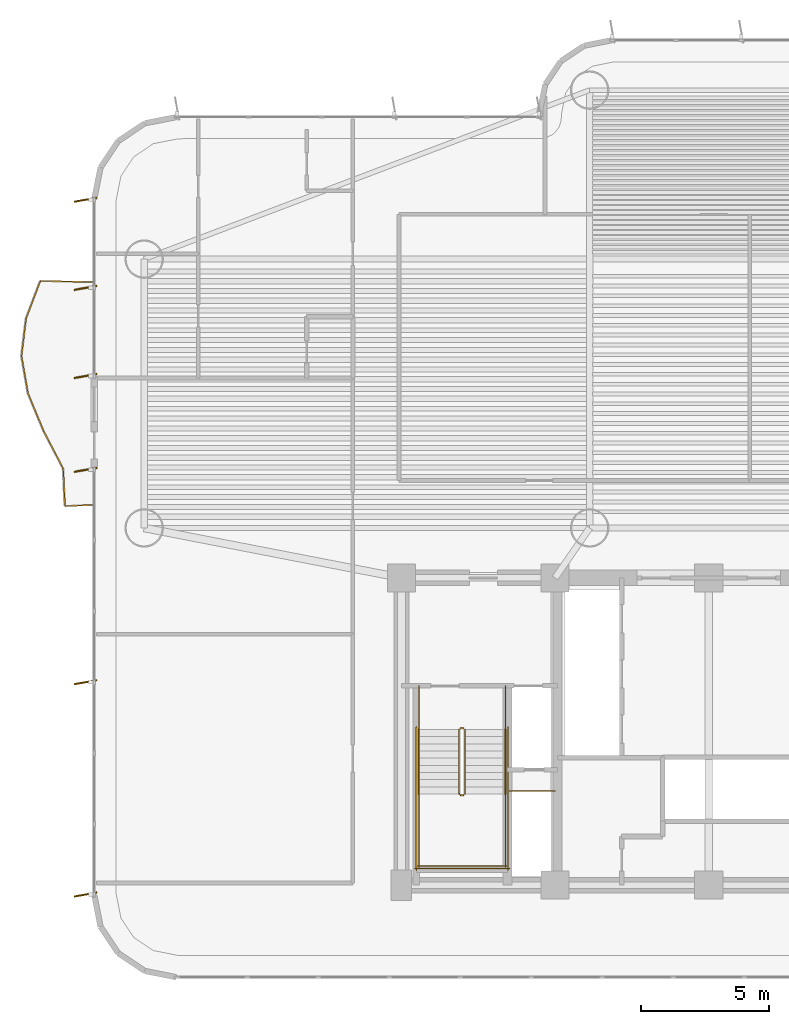
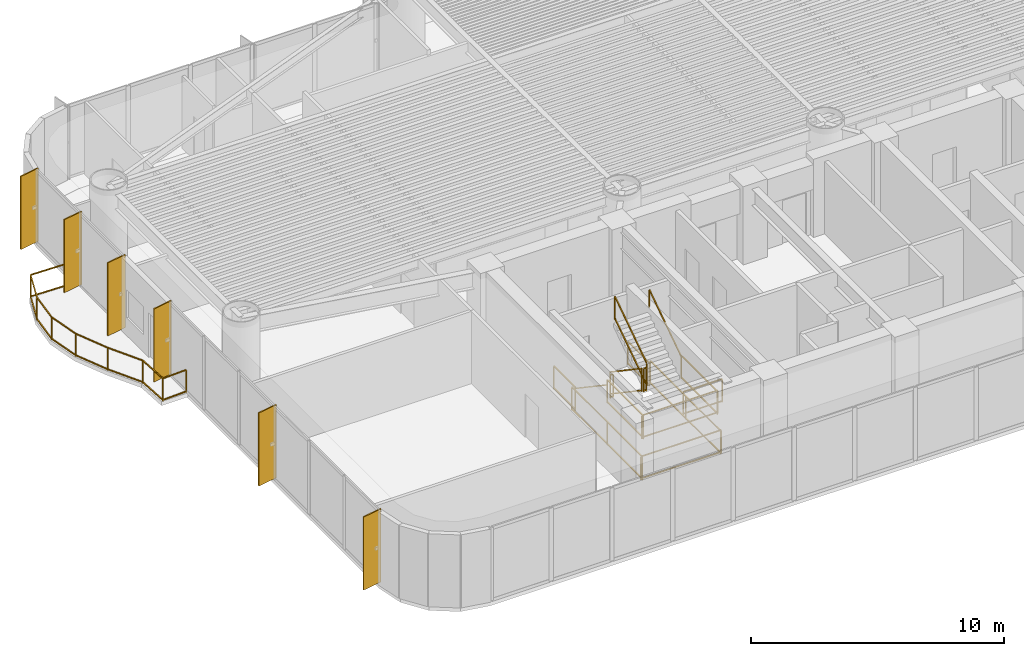
# One storey, part 15 of 18: 16 railings, 6 shading devices.
"""IFC4 building model written with IfcOpenShell, lengths in metres."""

from ifc_helpers import new_model, si_unit, direction, frame, origin, origin_2d, place, context, subcontext, project, spatial, rectangle, extrude, source, transform, mapped, material, layer, layer_set, material_profile, profile_set, type_object, element, save


model = new_model("IFC4")

# Units and contexts
model_context = context("Model", 3, precision=1e-05, world=origin(), true_north=direction((0.0, 1.0)))
body_context = subcontext(model_context, "Body", "Model", "MODEL_VIEW")
ifc_project = project(units=[si_unit("LENGTHUNIT", "METRE"), si_unit("AREAUNIT", "SQUARE_METRE"), si_unit("VOLUMEUNIT", "CUBIC_METRE"), si_unit("PLANEANGLEUNIT", "RADIAN"), si_unit("MASSUNIT", "GRAM", prefix="KILO")], contexts=[model_context])

# Site, building, storey
site_placement = place(None, origin())
site = spatial("IfcSite", under=ifc_project, at=site_placement, CompositionType="ELEMENT")
building_placement = place(site_placement, origin())
building = spatial("IfcBuilding", under=site, at=building_placement, Name="Brelvock Crest Care Tower", CompositionType="ELEMENT")
storey_placement = place(building_placement, frame((0.0, 0.0, 72.360107421875)))
storey = spatial("IfcBuildingStorey", under=building, at=storey_placement, Name="L18", CompositionType="ELEMENT", Elevation=72.360107421875)

# Railings
ifc_material_1 = material(Name="Dark Glass Double Glazed Low-E", Category="glass")
ifc_layer_1 = layer(ifc_material_1, 0.06005859375, Name="RL-BAL1")
ifc_layer_set_1 = layer_set([ifc_layer_1], Name="Dark Glass Double Glazed Low-E")
railing_type_1 = type_object("IfcRailingType", Name="RL-BAL1", PredefinedType="BALUSTRADE", material=ifc_layer_set_1)
railing_1_placement = place(storey_placement, frame((11.9599609375, 20.85009765625, 0.00390625)))
element("IfcRailing", 1, at=railing_1_placement, inside=storey, type_object=railing_type_1, Name="L18 Safety Balustrade WB-W", PredefinedType="BALUSTRADE", context=body_context, shape_type="SweptSolid", body=[
    extrude(rectangle(XDim=0.048095703125, YDim=0.048095703125, at=origin_2d()), frame((-0.001953125, 0.0, 1.09619140625), z_axis=(-0.998966252902, -0.045457953795, 0.0), x_axis=(0.045457953795, -0.998966252902, 0.0)), (0.0, 0.0, 1.0), 1.096923828125),
    extrude(rectangle(XDim=0.048095703125, YDim=0.048095703125, at=origin_2d()), frame((-0.001953125, 0.0, 0.054931640625), z_axis=(-0.998966252902, -0.045457953795, 0.0), x_axis=(0.045457953795, -0.998966252902, 0.0)), (0.0, 0.0, 1.0), 1.096923828125),
    extrude(rectangle(XDim=0.048095703125, YDim=0.048095703125, at=origin_2d()), frame((-1.099853515625, -0.048095703125, 1.09619140625), z_axis=(-0.047225425177, 0.998884257167, 0.0), x_axis=(-0.998884257167, -0.047225425177, 0.0)), (0.0, 0.0, 1.0), 1.464111328125),
    extrude(rectangle(XDim=0.048095703125, YDim=0.048095703125, at=origin_2d()), frame((-1.099853515625, -0.048095703125, 0.054931640625), z_axis=(-0.047225425177, 0.998884257167, 0.0), x_axis=(-0.998884257167, -0.047225425177, 0.0)), (0.0, 0.0, 1.0), 1.464111328125),
    extrude(rectangle(XDim=0.048095703125, YDim=0.048095703125, at=origin_2d()), frame((-1.170166015625, 1.418212890625, 1.09619140625), z_axis=(-0.462263335989, 0.8867426956, 0.0), x_axis=(-0.8867426956, -0.462263335989, 0.0)), (0.0, 0.0, 1.0), 1.650146484375),
    extrude(rectangle(XDim=0.048095703125, YDim=0.048095703125, at=origin_2d()), frame((-1.170166015625, 1.418212890625, 0.054931640625), z_axis=(-0.462263335989, 0.8867426956, 0.0), x_axis=(-0.8867426956, -0.462263335989, 0.0)), (0.0, 0.0, 1.0), 1.650146484375),
    extrude(rectangle(XDim=0.048095703125, YDim=0.048095703125, at=origin_2d()), frame((-1.9345703125, 2.88525390625, 1.09619140625), z_axis=(-0.383184627058, 0.923671771565, 0.0), x_axis=(-0.923671771565, -0.383184627058, 0.0)), (0.0, 0.0, 1.0), 1.583740234375),
    extrude(rectangle(XDim=0.048095703125, YDim=0.048095703125, at=origin_2d()), frame((-1.9345703125, 2.88525390625, 0.054931640625), z_axis=(-0.383184627058, 0.923671771565, 0.0), x_axis=(-0.923671771565, -0.383184627058, 0.0)), (0.0, 0.0, 1.0), 1.583740234375),
    extrude(rectangle(XDim=0.048095703125, YDim=0.048095703125, at=origin_2d()), frame((-2.54248046875, 4.351806640625, 1.09619140625), z_axis=(-0.171839377524, 0.985124981072, 0.0), x_axis=(-0.985124981072, -0.171839377524, 0.0)), (0.0, 0.0, 1.0), 1.48486328125),
    extrude(rectangle(XDim=0.048095703125, YDim=0.048095703125, at=origin_2d()), frame((-2.54248046875, 4.351806640625, 0.054931640625), z_axis=(-0.171839377524, 0.985124981072, 0.0), x_axis=(-0.985124981072, -0.171839377524, 0.0)), (0.0, 0.0, 1.0), 1.48486328125),
    extrude(rectangle(XDim=0.048095703125, YDim=0.048095703125, at=origin_2d()), frame((-2.7978515625, 5.818603515625, 1.09619140625), z_axis=(0.121125859225, 0.992637157388, 0.0), x_axis=(-0.992637157388, 0.121125859225, 0.0)), (0.0, 0.0, 1.0), 1.473388671875),
    extrude(rectangle(XDim=0.048095703125, YDim=0.048095703125, at=origin_2d()), frame((-2.7978515625, 5.818603515625, 0.054931640625), z_axis=(0.121125859225, 0.992637157388, 0.0), x_axis=(-0.992637157388, 0.121125859225, 0.0)), (0.0, 0.0, 1.0), 1.473388671875),
    extrude(rectangle(XDim=0.048095703125, YDim=0.048095703125, at=origin_2d()), frame((-2.618408203125, 7.28515625, 1.09619140625), z_axis=(0.354668308232, 0.93499218774, 0.0), x_axis=(-0.93499218774, 0.354668308232, 0.0)), (0.0, 0.0, 1.0), 1.564697265625),
    extrude(rectangle(XDim=0.048095703125, YDim=0.048095703125, at=origin_2d()), frame((-2.618408203125, 7.28515625, 0.054931640625), z_axis=(0.354668308232, 0.93499218774, 0.0), x_axis=(-0.93499218774, 0.354668308232, 0.0)), (0.0, 0.0, 1.0), 1.564697265625),
    extrude(rectangle(XDim=0.048095703125, YDim=0.048095703125, at=origin_2d()), frame((-2.060791015625, 8.75, 1.09619140625), z_axis=(0.999705777823, -0.024256087638, 0.0), x_axis=(0.024256087638, 0.999705777823, 0.0)), (0.0, 0.0, 1.0), 2.059326171875),
    extrude(rectangle(XDim=0.048095703125, YDim=0.048095703125, at=origin_2d()), frame((-2.060791015625, 8.75, 0.054931640625), z_axis=(0.999705777823, -0.024256087638, 0.0), x_axis=(0.024256087638, 0.999705777823, 0.0)), (0.0, 0.0, 1.0), 2.059326171875),
    extrude(rectangle(XDim=0.0419921875, YDim=0.0419921875, at=origin_2d()), origin(), (0.0, 0.0, 1.0), 1.070068359375),
    extrude(rectangle(XDim=0.0419921875, YDim=0.0419921875, at=origin_2d()), frame((-1.099853515625, -0.050048828125, 0.0)), (0.0, 0.0, 1.0), 1.070068359375),
    extrude(rectangle(XDim=0.0419921875, YDim=0.0419921875, at=origin_2d()), frame((-1.169189453125, 1.41650390625, 0.0)), (0.0, 0.0, 1.0), 1.070068359375),
    extrude(rectangle(XDim=0.0419921875, YDim=0.0419921875, at=origin_2d()), frame((-1.933837890625, 2.88330078125, 0.0)), (0.0, 0.0, 1.0), 1.070068359375),
    extrude(rectangle(XDim=0.0419921875, YDim=0.0419921875, at=origin_2d()), frame((-2.542236328125, 4.349853515625, 0.0)), (0.0, 0.0, 1.0), 1.070068359375),
    extrude(rectangle(XDim=0.0419921875, YDim=0.0419921875, at=origin_2d()), frame((-2.798095703125, 5.816650390625, 0.0)), (0.0, 0.0, 1.0), 1.070068359375),
    extrude(rectangle(XDim=0.0419921875, YDim=0.0419921875, at=origin_2d()), frame((-2.619140625, 7.283203125, 0.0)), (0.0, 0.0, 1.0), 1.070068359375),
    extrude(rectangle(XDim=0.0419921875, YDim=0.0419921875, at=origin_2d()), frame((-2.062744140625, 8.75, 0.0)), (0.0, 0.0, 1.0), 1.070068359375),
    extrude(rectangle(XDim=0.0419921875, YDim=0.0419921875, at=origin_2d()), frame((0.0, 8.699951171875, 0.0)), (0.0, 0.0, 1.0), 1.070068359375),
])
ifc_material_2 = material(Name="Steel Grade 350", Category="steel")
ifc_layer_2 = layer(ifc_material_2, 0.050048828125, Name="RL-STG1")
ifc_layer_set_2 = layer_set([ifc_layer_2], Name="Steel Grade 350")
railing_type_2 = type_object("IfcRailingType", Name="RL-STG1", PredefinedType="GUARDRAIL", material=ifc_layer_set_2)
railing_2_placement = place(storey_placement, frame((26.260009765625, 12.080078125, 0.18896484375)))
element("IfcRailing", 2, at=railing_2_placement, inside=storey, type_object=railing_type_2, Name="L18 ST-1 stair guard 1", PredefinedType="GUARDRAIL", context=body_context, shape_type="SweptSolid", body=[
    extrude(rectangle(XDim=0.048095703125, YDim=0.048095703125, at=origin_2d()), frame((0.0, -0.001708984375, 1.116943359375), z_axis=(0.0, -0.828861706735, 0.559453546873), x_axis=(1.0, 0.0, 0.0)), (0.0, 0.0, 1.0), 3.036376953125),
    extrude(rectangle(XDim=0.048095703125, YDim=0.048095703125, at=origin_2d()), frame((0.0, -0.001708984375, 0.05615234375), z_axis=(0.0, -0.828861706735, 0.559453546873), x_axis=(1.0, 0.0, 0.0)), (0.0, 0.0, 1.0), 3.036376953125),
    extrude(rectangle(XDim=0.0419921875, YDim=0.0419921875, at=origin_2d()), origin(), (0.0, 0.0, 1.0), 1.08984375),
    extrude(rectangle(XDim=0.0419921875, YDim=0.0419921875, at=origin_2d()), frame((0.0, -2.52001953125, 1.700927734375)), (0.0, 0.0, 1.0), 1.08984375),
])
railing_3_placement = place(storey_placement, frame((26.31005859375, 9.510009765625, 1.889892578125)))
element("IfcRailing", 3, at=railing_3_placement, inside=storey, type_object=railing_type_2, Name="L18 ST-1 stair guard 2", PredefinedType="GUARDRAIL", context=body_context, shape_type="SweptSolid", body=[
    extrude(rectangle(XDim=0.048095703125, YDim=0.048095703125, at=origin_2d()), frame((0.001953125, 0.0, 1.11572265625), z_axis=(1.0, 0.0, 0.0), x_axis=(0.0, 1.0, 0.0)), (0.0, 0.0, 1.0), 0.115966796875),
    extrude(rectangle(XDim=0.048095703125, YDim=0.048095703125, at=origin_2d()), frame((0.001953125, 0.0, 0.054931640625), z_axis=(1.0, 0.0, 0.0), x_axis=(0.0, 1.0, 0.0)), (0.0, 0.0, 1.0), 0.115966796875),
    extrude(rectangle(XDim=0.0419921875, YDim=0.0419921875, at=origin_2d()), origin(), (0.0, 0.0, 1.0), 1.08984375),
    extrude(rectangle(XDim=0.0419921875, YDim=0.0419921875, at=origin_2d()), frame((0.119873046875, 0.0, 0.0)), (0.0, 0.0, 1.0), 1.08984375),
])
for number, where, name in (
    (4, (24.679931640625, 9.56005859375, 1.889892578125), "L18 ST-1 stair guard 3"),
    (5, (28.06005859375, 9.56005859375, 1.889892578125), "L18 ST-1 stair guard 4"),
):
    element("IfcRailing", number, at=place(storey_placement, frame(where)), inside=storey, type_object=railing_type_2, Name=name, PredefinedType="GUARDRAIL", context=body_context, shape_type="SweptSolid", body=[
        extrude(rectangle(XDim=0.048095703125, YDim=0.048095703125, at=origin_2d()), frame((0.0, -0.001953125, 1.11572265625), z_axis=(0.0, -1.0, 0.0), x_axis=(1.0, 0.0, 0.0)), (0.0, 0.0, 1.0), 2.856201171875),
        extrude(rectangle(XDim=0.048095703125, YDim=0.048095703125, at=origin_2d()), frame((0.0, -0.001953125, 0.054931640625), z_axis=(0.0, -1.0, 0.0), x_axis=(1.0, 0.0, 0.0)), (0.0, 0.0, 1.0), 2.856201171875),
        extrude(rectangle(XDim=0.0419921875, YDim=0.0419921875, at=origin_2d()), origin(), (0.0, 0.0, 1.0), 1.08984375),
        extrude(rectangle(XDim=0.0419921875, YDim=0.0419921875, at=origin_2d()), frame((0.0, -2.860107421875, 0.0)), (0.0, 0.0, 1.0), 1.08984375),
    ])
railing_4_placement = place(storey_placement, frame((24.6298828125, 6.75, 1.889892578125)))
element("IfcRailing", 6, at=railing_4_placement, inside=storey, type_object=railing_type_2, Name="L18 ST-1 stair guard 5", PredefinedType="GUARDRAIL", context=body_context, shape_type="SweptSolid", body=[
    extrude(rectangle(XDim=0.048095703125, YDim=0.048095703125, at=origin_2d()), frame((0.001953125, 0.0, 1.11572265625), z_axis=(1.0, 0.0, 0.0), x_axis=(0.0, 1.0, 0.0)), (0.0, 0.0, 1.0), 3.476318359375),
    extrude(rectangle(XDim=0.048095703125, YDim=0.048095703125, at=origin_2d()), frame((0.001953125, 0.0, 0.054931640625), z_axis=(1.0, 0.0, 0.0), x_axis=(0.0, 1.0, 0.0)), (0.0, 0.0, 1.0), 3.476318359375),
    extrude(rectangle(XDim=0.0419921875, YDim=0.0419921875, at=origin_2d()), origin(), (0.0, 0.0, 1.0), 1.08984375),
    extrude(rectangle(XDim=0.0419921875, YDim=0.0419921875, at=origin_2d()), frame((3.480224609375, 0.0, 0.0)), (0.0, 0.0, 1.0), 1.08984375),
])
railing_5_placement = place(storey_placement, frame((26.47998046875, 9.56005859375, 2.078857421875)))
element("IfcRailing", 7, at=railing_5_placement, inside=storey, type_object=railing_type_2, Name="L18 ST-1 stair guard 6", PredefinedType="GUARDRAIL", context=body_context, shape_type="SweptSolid", body=[
    extrude(rectangle(XDim=0.048095703125, YDim=0.048095703125, at=origin_2d()), frame((0.0, 0.001708984375, 1.116943359375), z_axis=(0.0, 0.828861706735, 0.559453546873), x_axis=(-1.0, 0.0, 0.0)), (0.0, 0.0, 1.0), 3.036376953125),
    extrude(rectangle(XDim=0.048095703125, YDim=0.048095703125, at=origin_2d()), frame((0.0, 0.001708984375, 0.05615234375), z_axis=(0.0, 0.828861706735, 0.559453546873), x_axis=(-1.0, 0.0, 0.0)), (0.0, 0.0, 1.0), 3.036376953125),
    extrude(rectangle(XDim=0.0419921875, YDim=0.0419921875, at=origin_2d()), origin(), (0.0, 0.0, 1.0), 1.08984375),
    extrude(rectangle(XDim=0.0419921875, YDim=0.0419921875, at=origin_2d()), frame((0.0, 2.52001953125, 1.700927734375)), (0.0, 0.0, 1.0), 1.08984375),
])
railing_6_placement = place(storey_placement, frame((26.31005859375, 12.1298828125, 0.0)))
element("IfcRailing", 8, at=railing_6_placement, inside=storey, type_object=railing_type_2, Name="L18 ST-1 stair guard 7", PredefinedType="GUARDRAIL", context=body_context, shape_type="SweptSolid", body=[
    extrude(rectangle(XDim=0.048095703125, YDim=0.048095703125, at=origin_2d()), frame((0.001953125, 0.0, 1.11572265625), z_axis=(1.0, 0.0, 0.0), x_axis=(0.0, 1.0, 0.0)), (0.0, 0.0, 1.0), 0.115966796875),
    extrude(rectangle(XDim=0.048095703125, YDim=0.048095703125, at=origin_2d()), frame((0.001953125, 0.0, 0.054931640625), z_axis=(1.0, 0.0, 0.0), x_axis=(0.0, 1.0, 0.0)), (0.0, 0.0, 1.0), 0.115966796875),
    extrude(rectangle(XDim=0.0419921875, YDim=0.0419921875, at=origin_2d()), origin(), (0.0, 0.0, 1.0), 1.08984375),
    extrude(rectangle(XDim=0.0419921875, YDim=0.0419921875, at=origin_2d()), frame((0.119873046875, 0.0, 0.0)), (0.0, 0.0, 1.0), 1.08984375),
])
for number, where, name in (
    (9, (24.679931640625, 13.780029296875, 0.0), "L18 ST-1 stair guard 8"),
    (10, (28.06005859375, 13.780029296875, 0.0), "L18 ST-1 stair guard 9"),
):
    element("IfcRailing", number, at=place(storey_placement, frame(where)), inside=storey, type_object=railing_type_2, Name=name, PredefinedType="GUARDRAIL", context=body_context, shape_type="SweptSolid", body=[
        extrude(rectangle(XDim=0.048095703125, YDim=0.048095703125, at=origin_2d()), frame((0.0, -0.001953125, 1.11572265625), z_axis=(0.0, -1.0, 0.0), x_axis=(1.0, 0.0, 0.0)), (0.0, 0.0, 1.0), 1.696044921875),
        extrude(rectangle(XDim=0.048095703125, YDim=0.048095703125, at=origin_2d()), frame((0.0, -0.001953125, 0.054931640625), z_axis=(0.0, -1.0, 0.0), x_axis=(1.0, 0.0, 0.0)), (0.0, 0.0, 1.0), 1.696044921875),
        extrude(rectangle(XDim=0.0419921875, YDim=0.0419921875, at=origin_2d()), origin(), (0.0, 0.0, 1.0), 1.08984375),
        extrude(rectangle(XDim=0.0419921875, YDim=0.0419921875, at=origin_2d()), frame((0.0, -1.699951171875, 0.0)), (0.0, 0.0, 1.0), 1.08984375),
    ])
for number, where, name in (
    (11, (24.580078125, 12.179931640625, 0.0), "L18 ST-1 stair guard 10"),
    (12, (28.159912109375, 12.179931640625, 0.0), "L18 ST-1 stair guard 11"),
):
    element("IfcRailing", number, at=place(storey_placement, frame(where)), inside=storey, type_object=railing_type_2, Name=name, PredefinedType="GUARDRAIL", context=body_context, shape_type="SweptSolid", body=[
        extrude(rectangle(XDim=0.048095703125, YDim=0.048095703125, at=origin_2d()), frame((0.0, -0.001953125, 1.11572265625), z_axis=(0.0, -1.0, 0.0), x_axis=(1.0, 0.0, 0.0)), (0.0, 0.0, 1.0), 5.575927734375),
        extrude(rectangle(XDim=0.048095703125, YDim=0.048095703125, at=origin_2d()), frame((0.0, -0.001953125, 0.054931640625), z_axis=(0.0, -1.0, 0.0), x_axis=(1.0, 0.0, 0.0)), (0.0, 0.0, 1.0), 5.575927734375),
        extrude(rectangle(XDim=0.0419921875, YDim=0.0419921875, at=origin_2d()), origin(), (0.0, 0.0, 1.0), 1.08984375),
        extrude(rectangle(XDim=0.0419921875, YDim=0.0419921875, at=origin_2d()), frame((0.0, -2.7900390625, 0.0)), (0.0, 0.0, 1.0), 1.08984375),
        extrude(rectangle(XDim=0.0419921875, YDim=0.0419921875, at=origin_2d()), frame((0.0, -5.579833984375, 0.0)), (0.0, 0.0, 1.0), 1.08984375),
    ])
railing_7_placement = place(storey_placement, frame((24.530029296875, 6.64990234375, 0.0)))
element("IfcRailing", 13, at=railing_7_placement, inside=storey, type_object=railing_type_2, Name="L18 ST-1 stair guard 12", PredefinedType="GUARDRAIL", context=body_context, shape_type="SweptSolid", body=[
    extrude(rectangle(XDim=0.048095703125, YDim=0.048095703125, at=origin_2d()), frame((0.001953125, 0.0, 1.11572265625), z_axis=(1.0, 0.0, 0.0), x_axis=(0.0, 1.0, 0.0)), (0.0, 0.0, 1.0), 3.676025390625),
    extrude(rectangle(XDim=0.048095703125, YDim=0.048095703125, at=origin_2d()), frame((0.001953125, 0.0, 0.054931640625), z_axis=(1.0, 0.0, 0.0), x_axis=(0.0, 1.0, 0.0)), (0.0, 0.0, 1.0), 3.676025390625),
    extrude(rectangle(XDim=0.0419921875, YDim=0.0419921875, at=origin_2d()), origin(), (0.0, 0.0, 1.0), 1.08984375),
    extrude(rectangle(XDim=0.0419921875, YDim=0.0419921875, at=origin_2d()), frame((3.679931640625, 0.0, 0.0)), (0.0, 0.0, 1.0), 1.08984375),
])
railing_8_placement = place(storey_placement, frame((28.219970703125, 9.679931640625, 0.0)))
element("IfcRailing", 14, at=railing_8_placement, inside=storey, type_object=railing_type_2, Name="L18 Fire Riser Threshold Guard", PredefinedType="GUARDRAIL", context=body_context, shape_type="SweptSolid", body=[
    extrude(rectangle(XDim=0.048095703125, YDim=0.048095703125, at=origin_2d()), frame((0.001953125, 0.0, 1.11572265625), z_axis=(1.0, 0.0, 0.0), x_axis=(0.0, 1.0, 0.0)), (0.0, 0.0, 1.0), 1.776123046875),
    extrude(rectangle(XDim=0.048095703125, YDim=0.048095703125, at=origin_2d()), frame((0.001953125, 0.0, 0.054931640625), z_axis=(1.0, 0.0, 0.0), x_axis=(0.0, 1.0, 0.0)), (0.0, 0.0, 1.0), 1.776123046875),
    extrude(rectangle(XDim=0.0419921875, YDim=0.0419921875, at=origin_2d()), origin(), (0.0, 0.0, 1.0), 1.08984375),
    extrude(rectangle(XDim=0.0419921875, YDim=0.0419921875, at=origin_2d()), frame((1.780029296875, 0.0, 0.0)), (0.0, 0.0, 1.0), 1.08984375),
])
ifc_layer_3 = layer(ifc_material_2, 0.048095703125, Name="RL-STH1")
ifc_layer_set_3 = layer_set([ifc_layer_3], Name="Steel Grade 350")
railing_type_3 = type_object("IfcRailingType", Name="RL-STH1", PredefinedType="HANDRAIL", material=ifc_layer_set_3)
railing_9_placement = place(storey_placement, frame((24.679931640625, 12.080078125, 0.18896484375)))
element("IfcRailing", 15, at=railing_9_placement, inside=storey, type_object=railing_type_3, Name="L18 ST-1 stair handrail 1", PredefinedType="HANDRAIL", context=body_context, shape_type="SweptSolid", body=[
    extrude(rectangle(XDim=0.048095703125, YDim=0.048095703125, at=origin_2d()), frame((0.0, -0.001708984375, 0.876953125), z_axis=(0.0, -0.828861706735, 0.559453546873), x_axis=(1.0, 0.0, 0.0)), (0.0, 0.0, 1.0), 3.036376953125),
    extrude(rectangle(XDim=0.0419921875, YDim=0.0419921875, at=origin_2d()), origin(), (0.0, 0.0, 1.0), 0.849853515625),
    extrude(rectangle(XDim=0.0419921875, YDim=0.0419921875, at=origin_2d()), frame((0.0, -2.52001953125, 1.700927734375)), (0.0, 0.0, 1.0), 0.849853515625),
])
railing_10_placement = place(storey_placement, frame((28.06005859375, 9.56005859375, 2.078857421875)))
element("IfcRailing", 16, at=railing_10_placement, inside=storey, type_object=railing_type_3, Name="L18 ST-1 stair handrail 2", PredefinedType="HANDRAIL", context=body_context, shape_type="SweptSolid", body=[
    extrude(rectangle(XDim=0.048095703125, YDim=0.048095703125, at=origin_2d()), frame((0.0, 0.001708984375, 0.876953125), z_axis=(0.0, 0.828861706735, 0.559453546873), x_axis=(-1.0, 0.0, 0.0)), (0.0, 0.0, 1.0), 3.036376953125),
    extrude(rectangle(XDim=0.0419921875, YDim=0.0419921875, at=origin_2d()), origin(), (0.0, 0.0, 1.0), 0.849853515625),
    extrude(rectangle(XDim=0.0419921875, YDim=0.0419921875, at=origin_2d()), frame((0.0, 2.52001953125, 1.700927734375)), (0.0, 0.0, 1.0), 0.849853515625),
])

# Shading devices
ifc_material_3 = material(Name="Aluminium 6063-T6", Category="aluminium")
ifc_material_profile = material_profile(ifc_material_3, rectangle(XDim=0.054931640625, YDim=0.89990234375, at=origin_2d()), Name="FIN55x900")
ifc_profile_set = profile_set([ifc_material_profile], Name="Aluminium 6063-T6")
shading_device_type = type_object("IfcShadingDeviceType", Name="SHD-FIN1", PredefinedType="USERDEFINED", material=ifc_profile_set)
shared_shape = source(origin(), body_context, "Body", "SweptSolid", [
    extrude(rectangle(XDim=0.054931640625, YDim=0.89990234375, at=origin_2d()), origin(), (0.0, 0.0, 1.0), 3.52978515625),
])
for number, where, z_axis, x_axis, name in (
    (17, (11.659912109375, 5.632568359375, 0.0), (0.0, 0.0, 1.0), (-0.173648177667, 0.984807753012, 0.0), "L18 Vertical Sunshade Fin E13A-01"),
    (18, (11.659912109375, 13.925048828125, 0.0), (0.0, 0.0, 1.0), (-0.173648177667, 0.984807753012, 0.0), "L18 Vertical Sunshade Fin E13A-04"),
    (19, (11.659912109375, 22.217529296875, 0.0), (0.0, 0.0, 1.0), (-0.173648177667, 0.984807753012, 0.0), "L18 Vertical Sunshade Fin E13A-07"),
    (20, (11.659912109375, 25.882568359375, 0.0), (0.0, 0.0, 1.0), (-0.173648177667, 0.984807753012, 0.0), "L18 Vertical Sunshade Fin E13B-01"),
    (21, (11.659912109375, 29.324951171875, 0.0), (0.0, 0.0, 1.0), (-0.173648177667, 0.984807753012, 0.0), "L18 Vertical Sunshade Fin E13B-02"),
    (22, (11.659912109375, 32.767578125, 0.0), (0.0, 0.0, 1.0), (-0.173648177667, 0.984807753012, 0.0), "L18 Vertical Sunshade Fin E13B-03"),
):
    element("IfcShadingDevice", number, at=place(storey_placement, frame(where, z_axis=z_axis, x_axis=x_axis)), inside=storey, type_object=shading_device_type, Name=name, ObjectType="FIN", PredefinedType="USERDEFINED", context=body_context, shape_type="MappedRepresentation", body=[
        mapped(shared_shape, transform((0.0, 0.0, 0.0), x_axis=(1.0, 0.0, 0.0), y_axis=(0.0, 1.0, 0.0), z_axis=(0.0, 0.0, 1.0), scale=1.0)),
    ])

save(model, "model.ifc")
